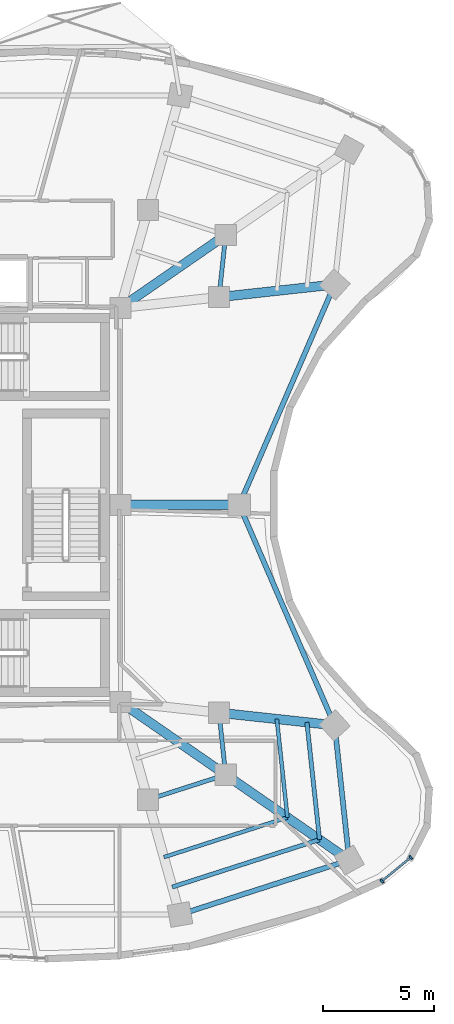
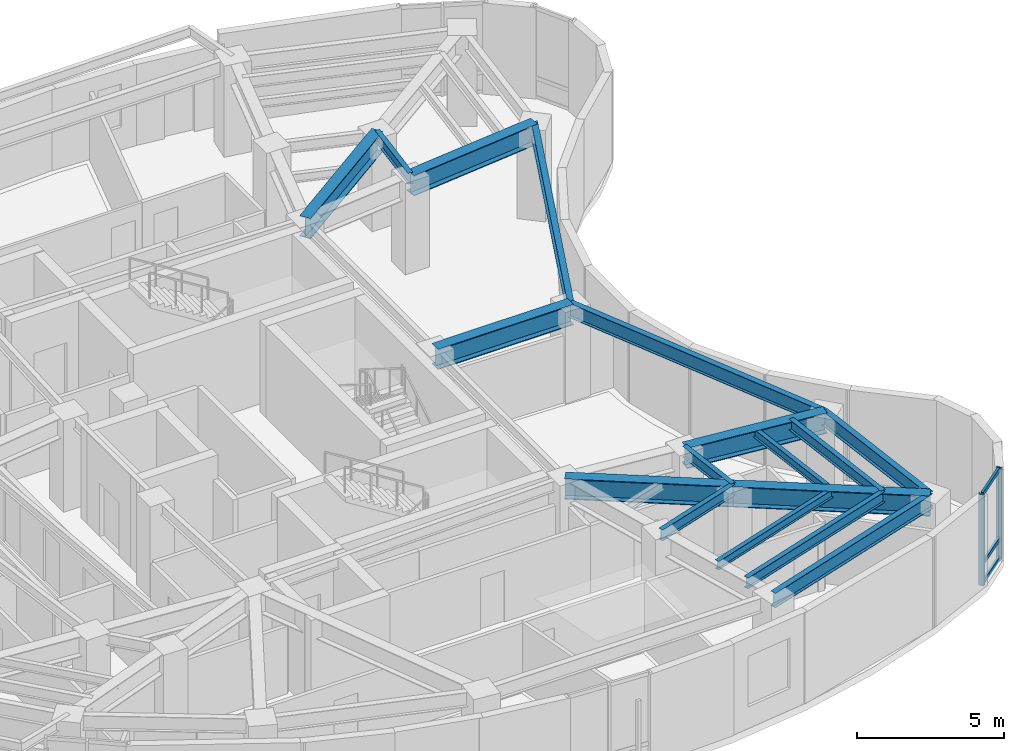
# One storey, part 4 of 13: 17 beams, 5 members, 1 element without a shape of its own.
"""IFC4 building model written with IfcOpenShell, lengths in metres."""

from ifc_helpers import new_model, si_unit, direction, frame, origin, origin_2d, place, context, subcontext, project, spatial, rectangle, i_section, extrude, material, layer, layer_set, material_profile, profile_set, type_object, element, aggregate, save


model = new_model("IFC4")

# Units and contexts
model_context = context("Model", 3, precision=1e-05, world=origin(), true_north=direction((0.0, 1.0)))
body_context = subcontext(model_context, "Body", "Model", "MODEL_VIEW")
ifc_project = project(units=[si_unit("LENGTHUNIT", "METRE"), si_unit("AREAUNIT", "SQUARE_METRE"), si_unit("VOLUMEUNIT", "CUBIC_METRE"), si_unit("PLANEANGLEUNIT", "RADIAN"), si_unit("MASSUNIT", "GRAM", prefix="KILO")], contexts=[model_context])

# Site, building, storey
site_placement = place(None, origin())
site = spatial("IfcSite", under=ifc_project, at=site_placement, CompositionType="ELEMENT")
building_placement = place(site_placement, origin())
building = spatial("IfcBuilding", under=site, at=building_placement, Name="Korentha Bioscience Tower", CompositionType="ELEMENT")
storey_placement = place(building_placement, frame((0.0, 0.0, 162.60009765625)))
storey = spatial("IfcBuildingStorey", under=building, at=storey_placement, Name="L37", CompositionType="ELEMENT", Elevation=162.60009765625)

# Beams
ifc_material_1 = material(Name="Steel S355", Category="steel")
ifc_material_profile_1 = material_profile(ifc_material_1, i_section(OverallWidth=0.18994140625, OverallDepth=0.45703125, WebThickness=0.009033203125, FlangeThickness=0.014404296875, at=origin_2d()), Name="Steel S355")
ifc_profile_set_1 = profile_set([ifc_material_profile_1], Name="Steel S355 (MB-460)")
beam_type_1 = type_object("IfcBeamType", Name="Mid-Ring Tie Girder W460x74", PredefinedType="BEAM", material=ifc_profile_set_1)
beam_1_placement = place(storey_placement, frame((38.77880859375, 13.7587890625, 3.5615234375), z_axis=(0.952000195343, 0.306097415976, 0.0), x_axis=(-0.306097415976, 0.952000195343, 0.0)))
element("IfcBeam", 1, at=beam_1_placement, inside=storey, type_object=beam_type_1, Name="L37 Mid-Ring Tie Girder 12", PredefinedType="BEAM", context=body_context, shape_type="SweptSolid", body=[
    extrude(i_section(OverallWidth=0.18994140625, OverallDepth=0.45703125, WebThickness=0.009033203125, FlangeThickness=0.014404296875, at=origin_2d()), origin(), (0.0, 0.0, 1.0), 3.672119140625),
])
for number, where, z_axis, x_axis, name in (
    (2, (42.274658203125, 14.8828125, 3.5615234375), (-0.107283940056, 0.99422842255, 0.0), (-0.99422842255, -0.107283940056, 0.0), "L37 Mid-Ring Tie Girder 13"),
    (3, (41.97412109375, 36.33203125, 3.5615234375), (0.107283940056, 0.99422842255, 0.0), (-0.99422842255, 0.107283940056, 0.0), "L37 Mid-Ring Tie Girder 16"),
):
    element("IfcBeam", number, at=place(storey_placement, frame(where, z_axis=z_axis, x_axis=x_axis)), inside=storey, type_object=beam_type_1, Name=name, PredefinedType="BEAM", context=body_context, shape_type="SweptSolid", body=[
        extrude(i_section(OverallWidth=0.18994140625, OverallDepth=0.45703125, WebThickness=0.009033203125, FlangeThickness=0.014404296875, at=origin_2d()), origin(), (0.0, 0.0, 1.0), 2.80126953125),
    ])

# Curtain wall, members
ifc_material_2 = material(Name="Thermally Broken Aluminium Frame", Category="aluminium")
ifc_layer = layer(ifc_material_2, 0.219970703125, Name="Thermally Broken Aluminium Frame")
ifc_layer_set = layer_set([ifc_layer], Name="Thermally Broken Aluminium Frame (CW-T1)")
curtain_wall_type = type_object("IfcCurtainWallType", Name="Standard Bioscience Lab Unitised Curtain Wall CW-T1", PredefinedType="USERDEFINED", material=ifc_layer_set)
curtain_wall_placement = place(storey_placement, origin())
curtain_wall = element("IfcCurtainWall", 4, at=curtain_wall_placement, inside=storey, type_object=curtain_wall_type, Name="L37 Curtain Wall 37", ObjectType="UNITISED", PredefinedType="USERDEFINED")
ifc_material_3 = material(Name="Anodised Aluminium 6063-T6", Category="aluminium")
ifc_material_profile_2 = material_profile(ifc_material_3, rectangle(XDim=0.090087890625, YDim=0.199951171875, at=origin_2d()), Name="Anodised Aluminium 6063-T6")
ifc_profile_set_2 = profile_set([ifc_material_profile_2], Name="Anodised Aluminium 6063-T6 (CW-MUL)")
member_type_1 = type_object("IfcMemberType", Name="Mullion RECT 90x200", PredefinedType="MULLION", material=ifc_profile_set_2)
member_1_placement = place(storey_placement, frame((49.28759765625, 10.105224609375, 0.0), z_axis=(0.0, 0.0, 1.0), x_axis=(0.77425646139, 0.632871971251, 0.0)))
member_1 = element("IfcMember", 5, at=member_1_placement, type_object=member_type_1, Name="CW-L37-37 Mullion 1", PredefinedType="MULLION", context=body_context, shape_type="SweptSolid", body=[
    extrude(rectangle(XDim=0.090087890625, YDim=0.199951171875, at=origin_2d()), origin(), (0.0, 0.0, 1.0), 3.789794921875),
])
member_2_placement = place(storey_placement, frame((50.58984375, 11.169677734375, 0.0), z_axis=(0.0, 0.0, 1.0), x_axis=(0.77425646139, 0.632871971251, 0.0)))
member_2 = element("IfcMember", 6, at=member_2_placement, type_object=member_type_1, Name="CW-L37-37 Mullion 2", PredefinedType="MULLION", context=body_context, shape_type="SweptSolid", body=[
    extrude(rectangle(XDim=0.090087890625, YDim=0.199951171875, at=origin_2d()), origin(), (0.0, 0.0, 1.0), 3.789794921875),
])

# Beams
ifc_material_profile_3 = material_profile(ifc_material_1, i_section(OverallWidth=0.22802734375, OverallDepth=0.60791015625, WebThickness=0.01123046875, FlangeThickness=0.017333984375, at=origin_2d()), Name="Steel S355")
ifc_profile_set_3 = profile_set([ifc_material_profile_3], Name="Steel S355 (SB-610)")
beam_type_2 = type_object("IfcBeamType", Name="Perimeter Ring Spandrel Girder W610x113", PredefinedType="SPANDREL", material=ifc_profile_set_3)
beam_2_placement = place(storey_placement, frame((40.22119140625, 8.60400390625, 3.48583984375), z_axis=(0.952008512555, 0.306071547228, 0.0), x_axis=(-0.306071547228, 0.952008512555, 0.0)))
element("IfcBeam", 7, at=beam_2_placement, inside=storey, type_object=beam_type_2, Name="L37 Perimeter Spandrel Girder 12", PredefinedType="SPANDREL", context=body_context, shape_type="SweptSolid", body=[
    extrude(i_section(OverallWidth=0.22802734375, OverallDepth=0.60791015625, WebThickness=0.01123046875, FlangeThickness=0.017333984375, at=origin_2d()), origin(), (0.0, 0.0, 1.0), 7.98291015625),
])
beam_3_placement = place(storey_placement, frame((47.821044921875, 11.04736328125, 3.48583984375), z_axis=(-0.10732012232, 0.994224517574, 0.0), x_axis=(-0.994224517574, -0.10732012232, 0.0)))
element("IfcBeam", 8, at=beam_3_placement, inside=storey, type_object=beam_type_2, Name="L37 Perimeter Spandrel Girder 13", PredefinedType="SPANDREL", context=body_context, shape_type="SweptSolid", body=[
    extrude(i_section(OverallWidth=0.22802734375, OverallDepth=0.60791015625, WebThickness=0.01123046875, FlangeThickness=0.017333984375, at=origin_2d()), origin(), (0.0, 0.0, 1.0), 6.08984375),
])
for number, where, z_axis, x_axis, name in (
    (9, (47.16748046875, 17.10205078125, 3.48583984375), (-0.397336815315, 0.917672847585, 0.0), (-0.917672847585, -0.397336815315, 0.0), "L37 Perimeter Spandrel Girder 14"),
    (10, (42.8818359375, 27.0, 3.48583984375), (0.397336815315, 0.917672847585, 0.0), (-0.917672847585, 0.397336815315, 0.0), "L37 Perimeter Spandrel Girder 15"),
):
    element("IfcBeam", number, at=place(storey_placement, frame(where, z_axis=z_axis, x_axis=x_axis)), inside=storey, type_object=beam_type_2, Name=name, PredefinedType="SPANDREL", context=body_context, shape_type="SweptSolid", body=[
        extrude(i_section(OverallWidth=0.22802734375, OverallDepth=0.60791015625, WebThickness=0.01123046875, FlangeThickness=0.017333984375, at=origin_2d()), origin(), (0.0, 0.0, 1.0), 10.785888671875),
    ])
ifc_material_profile_4 = material_profile(ifc_material_1, i_section(OverallWidth=0.419921875, OverallDepth=0.85009765625, WebThickness=0.01806640625, FlangeThickness=0.031982421875, at=origin_2d()), Name="Steel S355")
ifc_profile_set_4 = profile_set([ifc_material_profile_4], Name="Steel S355 (MB-850)")
beam_type_3 = type_object("IfcBeamType", Name="Plant Heavy Girder CVS 850x315", PredefinedType="BEAM", material=ifc_profile_set_4)
for number, where, z_axis, x_axis, name in (
    (11, (37.550048828125, 35.85009765625, 3.364990234375), (0.822501145898, 0.568763452584, 0.0), (-0.568763452584, 0.822501145898, 0.0), "L37 Inner Radial Girder 01"),
    (12, (37.550048828125, 18.14990234375, 3.364990234375), (0.822501145898, -0.568763452584, 0.0), (0.568763452584, 0.822501145898, 0.0), "L37 Inner Radial Girder 13"),
):
    element("IfcBeam", number, at=place(storey_placement, frame(where, z_axis=z_axis, x_axis=x_axis)), inside=storey, type_object=beam_type_3, Name=name, PredefinedType="BEAM", context=body_context, shape_type="SweptSolid", body=[
        extrude(i_section(OverallWidth=0.419921875, OverallDepth=0.85009765625, WebThickness=0.01806640625, FlangeThickness=0.031982421875, at=origin_2d()), origin(), (0.0, 0.0, 1.0), 5.744140625),
    ])
beam_4_placement = place(storey_placement, frame((42.274658203125, 14.8828125, 3.364990234375), z_axis=(0.822494455845, -0.568773127094, 0.0), x_axis=(0.568773127094, 0.822494455845, 0.0)))
element("IfcBeam", 13, at=beam_4_placement, inside=storey, type_object=beam_type_3, Name="L37 Outer Radial Girder 13", PredefinedType="BEAM", context=body_context, shape_type="SweptSolid", body=[
    extrude(i_section(OverallWidth=0.419921875, OverallDepth=0.85009765625, WebThickness=0.01806640625, FlangeThickness=0.031982421875, at=origin_2d()), origin(), (0.0, 0.0, 1.0), 6.743408203125),
])
beam_5_placement = place(storey_placement, frame((41.97412109375, 17.66796875, 3.364990234375), z_axis=(0.994115177281, -0.108328271011, 0.0), x_axis=(0.108328271011, 0.994115177281, 0.0)))
element("IfcBeam", 14, at=beam_5_placement, inside=storey, type_object=beam_type_3, Name="L37 Outer Radial Girder 14", PredefinedType="BEAM", context=body_context, shape_type="SweptSolid", body=[
    extrude(i_section(OverallWidth=0.419921875, OverallDepth=0.85009765625, WebThickness=0.01806640625, FlangeThickness=0.031982421875, at=origin_2d()), origin(), (0.0, 0.0, 1.0), 5.22412109375),
])
beam_6_placement = place(storey_placement, frame((37.550048828125, 27.0, 3.364990234375), z_axis=(1.0, 0.0, 0.0), x_axis=(0.0, 1.0, 0.0)))
element("IfcBeam", 15, at=beam_6_placement, inside=storey, type_object=beam_type_3, Name="L37 Radial Girder 15", PredefinedType="BEAM", context=body_context, shape_type="SweptSolid", body=[
    extrude(i_section(OverallWidth=0.419921875, OverallDepth=0.85009765625, WebThickness=0.01806640625, FlangeThickness=0.031982421875, at=origin_2d()), origin(), (0.0, 0.0, 1.0), 5.331787109375),
])
beam_7_placement = place(storey_placement, frame((41.97412109375, 36.33203125, 3.364990234375), z_axis=(0.994115177281, 0.108328271011, 0.0), x_axis=(-0.108328271011, 0.994115177281, 0.0)))
element("IfcBeam", 16, at=beam_7_placement, inside=storey, type_object=beam_type_3, Name="L37 Outer Radial Girder 16", PredefinedType="BEAM", context=body_context, shape_type="SweptSolid", body=[
    extrude(i_section(OverallWidth=0.419921875, OverallDepth=0.85009765625, WebThickness=0.01806640625, FlangeThickness=0.031982421875, at=origin_2d()), origin(), (0.0, 0.0, 1.0), 5.22412109375),
])
ifc_material_profile_5 = material_profile(ifc_material_1, i_section(OverallWidth=0.18994140625, OverallDepth=0.45703125, WebThickness=0.009033203125, FlangeThickness=0.014404296875, at=origin_2d()), Name="Steel S355")
ifc_profile_set_5 = profile_set([ifc_material_profile_5], Name="Steel S355 (RB-460)")
beam_type_4 = type_object("IfcBeamType", Name="Radial Laboratory Beam W460x74", PredefinedType="BEAM", material=ifc_profile_set_5)
beam_8_placement = place(storey_placement, frame((39.875, 9.84130859375, 3.5615234375), z_axis=(0.952009183817, 0.306069459318, 0.0), x_axis=(-0.306069459318, 0.952009183817, 0.0)))
element("IfcBeam", 17, at=beam_8_placement, inside=storey, type_object=beam_type_4, Name="L37 Secondary Floor Beam JSTO-12", PredefinedType="BEAM", context=body_context, shape_type="SweptSolid", body=[
    extrude(i_section(OverallWidth=0.18994140625, OverallDepth=0.45703125, WebThickness=0.009033203125, FlangeThickness=0.014404296875, at=origin_2d()), origin(), (0.0, 0.0, 1.0), 6.948486328125),
])
beam_9_placement = place(storey_placement, frame((46.489990234375, 11.968017578125, 3.5615234375), z_axis=(-0.107321875607, 0.994224328316, 0.0), x_axis=(-0.994224328316, -0.107321875607, 0.0)))
element("IfcBeam", 18, at=beam_9_placement, inside=storey, type_object=beam_type_4, Name="L37 Secondary Floor Beam JSTO-13", PredefinedType="BEAM", context=body_context, shape_type="SweptSolid", body=[
    extrude(i_section(OverallWidth=0.18994140625, OverallDepth=0.45703125, WebThickness=0.009033203125, FlangeThickness=0.014404296875, at=origin_2d()), origin(), (0.0, 0.0, 1.0), 5.30029296875),
])
ifc_material_profile_6 = material_profile(ifc_material_1, i_section(OverallWidth=0.1708984375, OverallDepth=0.35498046875, WebThickness=0.007080078125, FlangeThickness=0.01171875, at=origin_2d()), Name="Steel S355")
ifc_profile_set_6 = profile_set([ifc_material_profile_6], Name="Steel S355 (JB-360)")
beam_type_5 = type_object("IfcBeamType", Name="Secondary Laboratory Joist W360x51", PredefinedType="JOIST", material=ifc_profile_set_6)
beam_10_placement = place(storey_placement, frame((39.5, 11.181396484375, 3.6123046875), z_axis=(0.952005892166, 0.306079697596, 0.0), x_axis=(-0.306079697596, 0.952005892166, 0.0)))
element("IfcBeam", 19, at=beam_10_placement, inside=storey, type_object=beam_type_5, Name="L37 Secondary Floor Beam JST-12", PredefinedType="JOIST", context=body_context, shape_type="SweptSolid", body=[
    extrude(i_section(OverallWidth=0.1708984375, OverallDepth=0.35498046875, WebThickness=0.007080078125, FlangeThickness=0.01171875, at=origin_2d()), origin(), (0.0, 0.0, 1.0), 5.82763671875),
])
beam_11_placement = place(storey_placement, frame((45.0478515625, 12.965087890625, 3.6123046875), z_axis=(-0.107308722475, 0.994225748048, 0.0), x_axis=(-0.994225748048, -0.107308722475, 0.0)))
element("IfcBeam", 20, at=beam_11_placement, inside=storey, type_object=beam_type_5, Name="L37 Secondary Floor Beam JST-13", PredefinedType="JOIST", context=body_context, shape_type="SweptSolid", body=[
    extrude(i_section(OverallWidth=0.1708984375, OverallDepth=0.35498046875, WebThickness=0.007080078125, FlangeThickness=0.01171875, at=origin_2d()), origin(), (0.0, 0.0, 1.0), 4.445556640625),
])

# Member
ifc_material_profile_7 = material_profile(ifc_material_3, rectangle(XDim=0.090087890625, YDim=0.159912109375, at=origin_2d()), Name="Anodised Aluminium 6063-T6")
ifc_profile_set_7 = profile_set([ifc_material_profile_7], Name="Anodised Aluminium 6063-T6 (CW-TRN)")
member_type_2 = type_object("IfcMemberType", Name="Transom RECT 90x160", PredefinedType="USERDEFINED", material=ifc_profile_set_7)
member_3_placement = place(storey_placement, frame((49.322509765625, 10.1337890625, 0.044921875), z_axis=(0.77427156069, 0.632853498297, 0.0), x_axis=(-0.632853498297, 0.77427156069, 0.0)))
member_3 = element("IfcMember", 21, at=member_3_placement, type_object=member_type_2, Name="CW-L37-37 Bay 1 Transom 1", ObjectType="TRANSOM", PredefinedType="USERDEFINED", context=body_context, shape_type="SweptSolid", body=[
    extrude(rectangle(XDim=0.090087890625, YDim=0.159912109375, at=origin_2d()), origin(), (0.0, 0.0, 1.0), 1.591796875),
])

member_4_placement = place(storey_placement, frame((49.322509765625, 10.1337890625, 0.849853515625), z_axis=(0.77427156069, 0.632853498297, 0.0), x_axis=(-0.632853498297, 0.77427156069, 0.0)))
member_4 = element("IfcMember", 22, at=member_4_placement, type_object=member_type_2, Name="CW-L37-37 Bay 1 Transom 2", ObjectType="TRANSOM", PredefinedType="USERDEFINED", context=body_context, shape_type="SweptSolid", body=[
    extrude(rectangle(XDim=0.090087890625, YDim=0.159912109375, at=origin_2d()), origin(), (0.0, 0.0, 1.0), 1.591796875),
])

member_5_placement = place(storey_placement, frame((49.322509765625, 10.1337890625, 3.744873046875), z_axis=(0.77427156069, 0.632853498297, 0.0), x_axis=(-0.632853498297, 0.77427156069, 0.0)))
member_5 = element("IfcMember", 23, at=member_5_placement, type_object=member_type_2, Name="CW-L37-37 Bay 1 Transom 3", ObjectType="TRANSOM", PredefinedType="USERDEFINED", context=body_context, shape_type="SweptSolid", body=[
    extrude(rectangle(XDim=0.090087890625, YDim=0.159912109375, at=origin_2d()), origin(), (0.0, 0.0, 1.0), 1.591796875),
])

aggregate(curtain_wall, [member_1, member_2, member_3, member_4, member_5])

save(model, "model.ifc")
